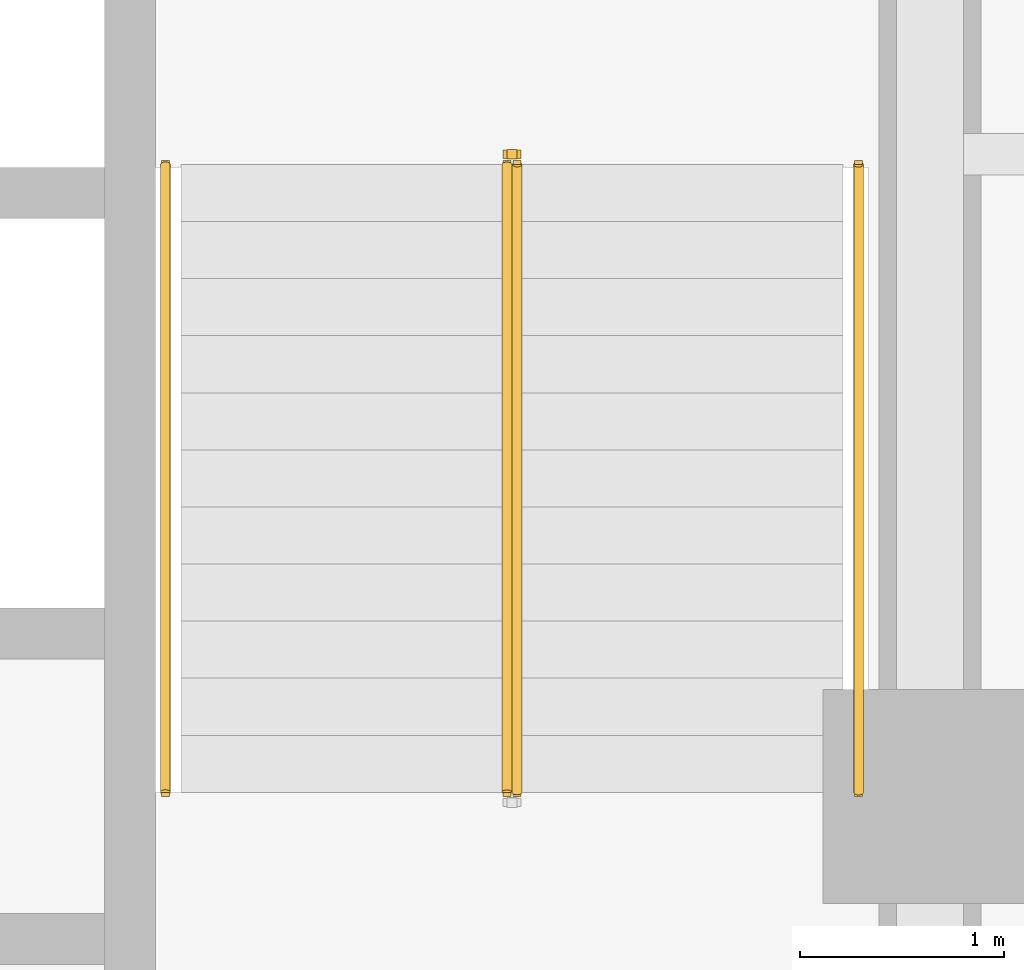
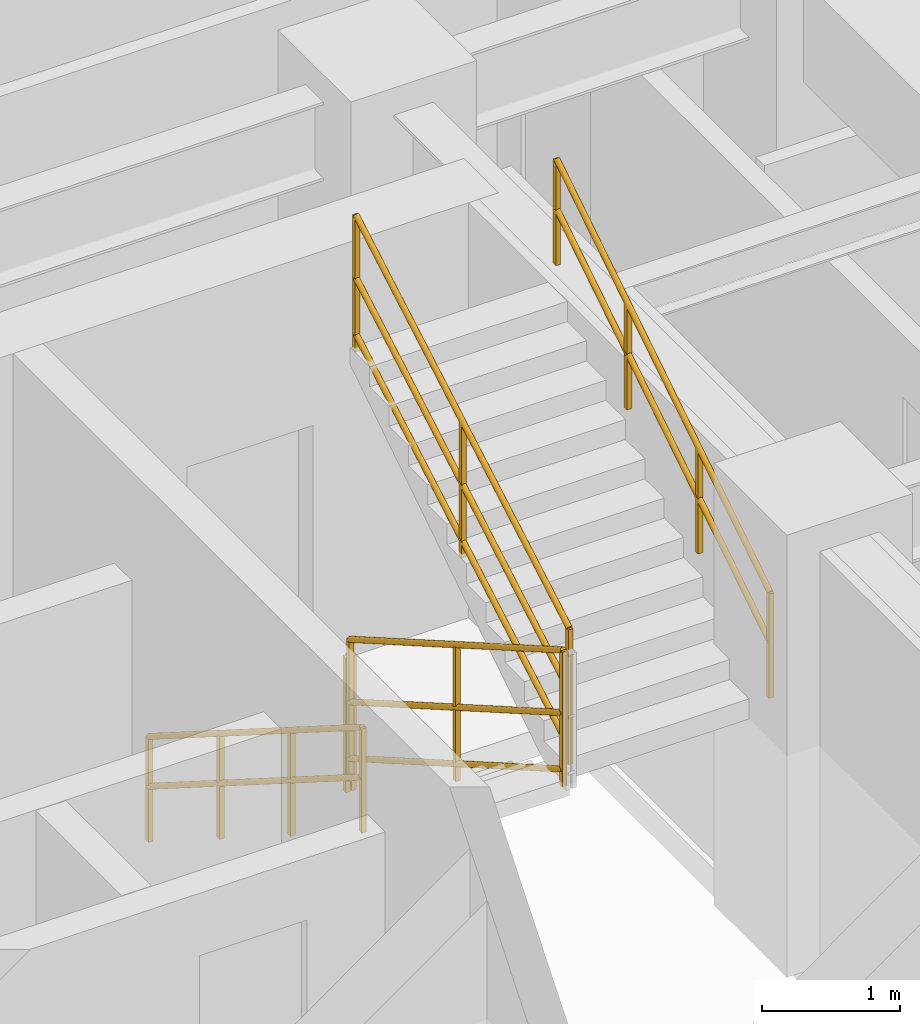
# One storey, part 9 of 10: 5 railings.
"""IFC4 building model written with IfcOpenShell, lengths in metres."""

from ifc_helpers import new_model, entity, si_unit, converted_unit, direction, frame, origin_with_axes, origin_2d_with_axis, place, context, subcontext, project, spatial, rectangle, circle, extrude, material, type_object, element, save


model = new_model("IFC4")

# Units and contexts
model_context = context("Model", 3, precision=1e-05, world=origin_with_axes(), true_north=direction((0.0, 1.0)))
body_context = subcontext(model_context, "Body", "Model", "MODEL_VIEW")
ifc_project = project(units=[si_unit("LENGTHUNIT", "METRE"), si_unit("AREAUNIT", "SQUARE_METRE"), si_unit("VOLUMEUNIT", "CUBIC_METRE"), converted_unit("PLANEANGLEUNIT", "DEGREE", entity("IfcPlaneAngleMeasure", 0.017453292519943295), si_unit("PLANEANGLEUNIT", "RADIAN"), dimensions=[0, 0, 0, 0, 0, 0, 0]), si_unit("MASSUNIT", "GRAM", prefix="KILO"), si_unit("THERMODYNAMICTEMPERATUREUNIT", "KELVIN")], contexts=[model_context])

# Site, building, storey
site_placement = place(None, origin_with_axes())
site = spatial("IfcSite", under=ifc_project, at=site_placement, CompositionType="ELEMENT")
building_placement = place(site_placement, origin_with_axes())
building = spatial("IfcBuilding", under=site, at=building_placement, Name="Varnlund Millrace Tower", CompositionType="ELEMENT")
storey_placement = place(building_placement, frame((0.0, 0.0, 171.9), z_axis=(0.0, 0.0, 1.0), x_axis=(1.0, 0.0, 0.0)))
storey = spatial("IfcBuildingStorey", under=building, at=storey_placement, Name="L42", CompositionType="ELEMENT", Elevation=171.9)

# Railings
ifc_material_1 = material(Name="Painted steel stair well balustrade guard", Category="steel")
railing_type_1 = type_object("IfcRailingType", Name="Type-StairGuard-1150", PredefinedType="GUARDRAIL", material=ifc_material_1)
railing_1_placement = place(storey_placement, frame((0.0, 0.0, -171.9), z_axis=(0.0, 0.0, 1.0), x_axis=(1.0, 0.0, 0.0)))
element("IfcRailing", 1, at=railing_1_placement, inside=storey, type_object=railing_type_1, Name="Type-StairGuard-1150", PredefinedType="GUARDRAIL", context=body_context, shape_type="SweptSolid", body=[
    extrude(circle(Radius=0.024, at=origin_2d_with_axis()), frame((45.975, 21.1, 173.227273), z_axis=(0.0, -0.866696, 0.498836), x_axis=(1.0, 0.0, 0.0)), (0.0, 0.0, 1.0), 3.553725),
    extrude(circle(Radius=0.024, at=origin_2d_with_axis()), frame((45.975, 21.1, 172.177273), z_axis=(0.0, -0.866696, 0.498836), x_axis=(1.0, 0.0, 0.0)), (0.0, 0.0, 1.0), 3.553725),
    extrude(circle(Radius=0.024, at=origin_2d_with_axis()), frame((45.975, 21.1, 172.675273), z_axis=(0.0, -0.866696, 0.498836), x_axis=(1.0, 0.0, 0.0)), (0.0, 0.0, 1.0), 3.553725),
    extrude(rectangle(XDim=0.04, YDim=0.04, at=origin_2d_with_axis()), frame((45.975, 21.1, 172.037273), z_axis=(0.0, 0.0, 1.0), x_axis=(1.0, 0.0, 0.0)), (0.0, 0.0, 1.0), 1.19),
    extrude(rectangle(XDim=0.04, YDim=0.04, at=origin_2d_with_axis()), frame((45.975, 19.56, 172.923637), z_axis=(0.0, 0.0, 1.0), x_axis=(1.0, 0.0, 0.0)), (0.0, 0.0, 1.0), 1.19),
    extrude(rectangle(XDim=0.04, YDim=0.04, at=origin_2d_with_axis()), frame((45.975, 18.02, 173.81), z_axis=(0.0, 0.0, 1.0), x_axis=(1.0, 0.0, 0.0)), (0.0, 0.0, 1.0), 1.19),
])
railing_2_placement = place(storey_placement, frame((0.0, 0.0, -171.9), z_axis=(0.0, 0.0, 1.0), x_axis=(1.0, 0.0, 0.0)))
element("IfcRailing", 2, at=railing_2_placement, inside=storey, type_object=railing_type_1, Name="Type-StairGuard-1150", PredefinedType="GUARDRAIL", context=body_context, shape_type="SweptSolid", body=[
    extrude(circle(Radius=0.024, at=origin_2d_with_axis()), frame((46.025, 18.02, 175.177273), z_axis=(0.0, 0.866696, 0.498836), x_axis=(-1.0, 0.0, 0.0)), (0.0, 0.0, 1.0), 3.553725),
    extrude(circle(Radius=0.024, at=origin_2d_with_axis()), frame((46.025, 18.02, 174.127273), z_axis=(0.0, 0.866696, 0.498836), x_axis=(-1.0, 0.0, 0.0)), (0.0, 0.0, 1.0), 3.553725),
    extrude(circle(Radius=0.024, at=origin_2d_with_axis()), frame((46.025, 18.02, 174.625273), z_axis=(0.0, 0.866696, 0.498836), x_axis=(-1.0, 0.0, 0.0)), (0.0, 0.0, 1.0), 3.553725),
    extrude(rectangle(XDim=0.04, YDim=0.04, at=origin_2d_with_axis()), frame((46.025, 18.02, 173.987273), z_axis=(0.0, 0.0, 1.0), x_axis=(1.0, 0.0, 0.0)), (0.0, 0.0, 1.0), 1.19),
    extrude(rectangle(XDim=0.04, YDim=0.04, at=origin_2d_with_axis()), frame((46.025, 19.56, 174.873636), z_axis=(0.0, 0.0, 1.0), x_axis=(1.0, 0.0, 0.0)), (0.0, 0.0, 1.0), 1.19),
    extrude(rectangle(XDim=0.04, YDim=0.04, at=origin_2d_with_axis()), frame((46.025, 21.1, 175.76), z_axis=(0.0, 0.0, 1.0), x_axis=(1.0, 0.0, 0.0)), (0.0, 0.0, 1.0), 1.19),
])
railing_3_placement = place(storey_placement, frame((0.0, 0.0, -171.9), z_axis=(0.0, 0.0, 1.0), x_axis=(1.0, 0.0, 0.0)))
element("IfcRailing", 3, at=railing_3_placement, inside=storey, type_object=railing_type_1, Name="Type-StairGuard-1150", PredefinedType="GUARDRAIL", context=body_context, shape_type="SweptSolid", body=[
    extrude(circle(Radius=0.024, at=origin_2d_with_axis()), frame((46.025, 21.15, 173.05), z_axis=(-1.0, 0.0, 0.0), x_axis=(0.0, -1.0, 0.0)), (0.0, 0.0, 1.0), 0.05),
    extrude(circle(Radius=0.024, at=origin_2d_with_axis()), frame((46.025, 21.15, 172.0), z_axis=(-1.0, 0.0, 0.0), x_axis=(0.0, -1.0, 0.0)), (0.0, 0.0, 1.0), 0.05),
    extrude(circle(Radius=0.024, at=origin_2d_with_axis()), frame((46.025, 21.15, 172.498), z_axis=(-1.0, 0.0, 0.0), x_axis=(0.0, -1.0, 0.0)), (0.0, 0.0, 1.0), 0.05),
    extrude(rectangle(XDim=0.04, YDim=0.04, at=origin_2d_with_axis()), frame((46.025, 21.15, 171.86), z_axis=(0.0, 0.0, 1.0), x_axis=(1.0, 0.0, 0.0)), (0.0, 0.0, 1.0), 1.19),
    extrude(rectangle(XDim=0.04, YDim=0.04, at=origin_2d_with_axis()), frame((45.975, 21.15, 171.86), z_axis=(0.0, 0.0, 1.0), x_axis=(1.0, 0.0, 0.0)), (0.0, 0.0, 1.0), 1.19),
])
ifc_material_2 = material(Name="Brushed architectural bronze stair handrail", Category="aluminium")
railing_type_2 = type_object("IfcRailingType", Name="Type-StairHandrail-900", PredefinedType="HANDRAIL", material=ifc_material_2)
railing_4_placement = place(storey_placement, frame((0.0, 0.0, -171.9), z_axis=(0.0, 0.0, 1.0), x_axis=(1.0, 0.0, 0.0)))
element("IfcRailing", 4, at=railing_4_placement, inside=storey, type_object=railing_type_2, Name="Type-StairHandrail-900", PredefinedType="HANDRAIL", context=body_context, shape_type="SweptSolid", body=[
    extrude(circle(Radius=0.024, at=origin_2d_with_axis()), frame((44.3, 21.1, 172.956995), z_axis=(0.0, -0.844902, 0.534922), x_axis=(1.0, 0.0, 0.0)), (0.0, 0.0, 1.0), 3.645394),
    extrude(circle(Radius=0.024, at=origin_2d_with_axis()), frame((44.3, 21.1, 172.517134), z_axis=(0.0, -0.844902, 0.534922), x_axis=(1.0, 0.0, 0.0)), (0.0, 0.0, 1.0), 3.645394),
    extrude(rectangle(XDim=0.04, YDim=0.04, at=origin_2d_with_axis()), frame((44.3, 21.1, 172.037273), z_axis=(0.0, 0.0, 1.0), x_axis=(1.0, 0.0, 0.0)), (0.0, 0.0, 1.0), 0.919722),
    extrude(rectangle(XDim=0.04, YDim=0.04, at=origin_2d_with_axis()), frame((44.3, 20.073333, 172.687273), z_axis=(0.0, 0.0, 1.0), x_axis=(1.0, 0.0, 0.0)), (0.0, 0.0, 1.0), 0.919722),
    extrude(rectangle(XDim=0.04, YDim=0.04, at=origin_2d_with_axis()), frame((44.3, 19.046667, 173.337273), z_axis=(0.0, 0.0, 1.0), x_axis=(1.0, 0.0, 0.0)), (0.0, 0.0, 1.0), 0.919722),
    extrude(rectangle(XDim=0.04, YDim=0.04, at=origin_2d_with_axis()), frame((44.3, 18.02, 173.987273), z_axis=(0.0, 0.0, 1.0), x_axis=(1.0, 0.0, 0.0)), (0.0, 0.0, 1.0), 0.919722),
])
railing_5_placement = place(storey_placement, frame((0.0, 0.0, -171.9), z_axis=(0.0, 0.0, 1.0), x_axis=(1.0, 0.0, 0.0)))
element("IfcRailing", 5, at=railing_5_placement, inside=storey, type_object=railing_type_2, Name="Type-StairHandrail-900", PredefinedType="HANDRAIL", context=body_context, shape_type="SweptSolid", body=[
    extrude(circle(Radius=0.024, at=origin_2d_with_axis()), frame((47.7, 18.02, 174.906995), z_axis=(0.0, 0.844902, 0.534922), x_axis=(-1.0, 0.0, 0.0)), (0.0, 0.0, 1.0), 3.645394),
    extrude(circle(Radius=0.024, at=origin_2d_with_axis()), frame((47.7, 18.02, 174.467134), z_axis=(0.0, 0.844902, 0.534922), x_axis=(-1.0, 0.0, 0.0)), (0.0, 0.0, 1.0), 3.645394),
    extrude(rectangle(XDim=0.04, YDim=0.04, at=origin_2d_with_axis()), frame((47.7, 18.02, 173.987273), z_axis=(0.0, 0.0, 1.0), x_axis=(1.0, 0.0, 0.0)), (0.0, 0.0, 1.0), 0.919722),
    extrude(rectangle(XDim=0.04, YDim=0.04, at=origin_2d_with_axis()), frame((47.7, 19.046667, 174.637273), z_axis=(0.0, 0.0, 1.0), x_axis=(1.0, 0.0, 0.0)), (0.0, 0.0, 1.0), 0.919722),
    extrude(rectangle(XDim=0.04, YDim=0.04, at=origin_2d_with_axis()), frame((47.7, 20.073333, 175.287273), z_axis=(0.0, 0.0, 1.0), x_axis=(1.0, 0.0, 0.0)), (0.0, 0.0, 1.0), 0.919722),
    extrude(rectangle(XDim=0.04, YDim=0.04, at=origin_2d_with_axis()), frame((47.7, 21.1, 175.937273), z_axis=(0.0, 0.0, 1.0), x_axis=(1.0, 0.0, 0.0)), (0.0, 0.0, 1.0), 0.919722),
])

save(model, "model.ifc")
